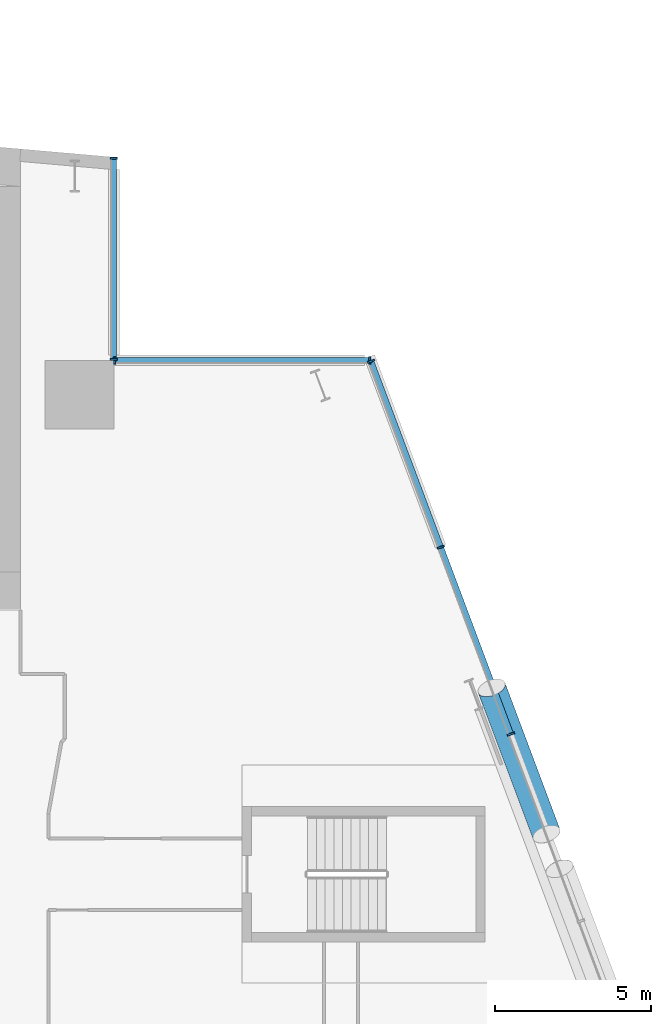
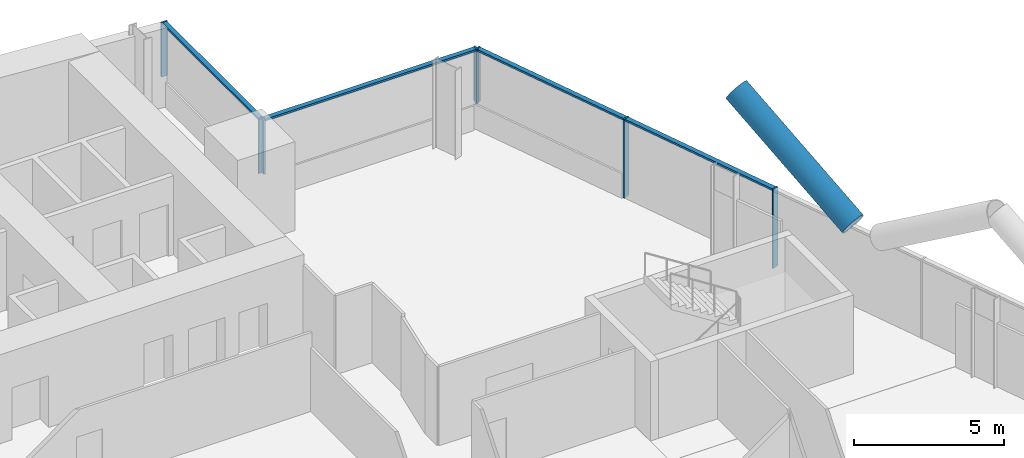
# One storey, part 10 of 25: 12 members, 3 elements without a shape of their own.
"""IFC4 building model written with IfcOpenShell, lengths in metres."""

from ifc_helpers import new_model, si_unit, direction, frame, origin, origin_2d, place, context, subcontext, project, spatial, rectangle, hollow_circle, extrude, material, material_profile, profile_set, type_object, element, aggregate, save


model = new_model("IFC4")

# Units and contexts
model_context = context("Model", 3, precision=1e-05, world=origin(), true_north=direction((0.0, 1.0)))
body_context = subcontext(model_context, "Body", "Model", "MODEL_VIEW")
ifc_project = project(units=[si_unit("LENGTHUNIT", "METRE"), si_unit("AREAUNIT", "SQUARE_METRE"), si_unit("VOLUMEUNIT", "CUBIC_METRE"), si_unit("PLANEANGLEUNIT", "RADIAN"), si_unit("MASSUNIT", "GRAM", prefix="KILO")], contexts=[model_context])

# Site, building, storey
site_placement = place(None, origin())
site = spatial("IfcSite", under=ifc_project, at=site_placement, CompositionType="ELEMENT")
building_placement = place(site_placement, origin())
building = spatial("IfcBuilding", under=site, at=building_placement, Name="Wharfspan Tower", CompositionType="ELEMENT")
storey_placement = place(building_placement, frame((0.0, 0.0, 70.300049)))
storey = spatial("IfcBuildingStorey", under=building, at=storey_placement, Name="L14", CompositionType="ELEMENT", Elevation=70.300049)

# Curtain wall, members
ifc_material_1 = material(Name="Aluminium 6063-T6", Category="aluminium")
curtain_wall_type = type_object("IfcCurtainWallType", Name="CURTAIN WALL PROW AND END", PredefinedType="NOTDEFINED", material=ifc_material_1)
curtain_wall_1_placement = place(storey_placement, origin())
curtain_wall_1 = element("IfcCurtainWall", 1, at=curtain_wall_1_placement, inside=storey, type_object=curtain_wall_type, Name="Curtain wall E", PredefinedType="NOTDEFINED")
ifc_material_profile_1 = material_profile(ifc_material_1, rectangle(XDim=0.23999, YDim=0.060059, at=origin_2d()))
ifc_profile_set_1 = profile_set([ifc_material_profile_1], Name="Aluminium 6063-T6")
member_type_1 = type_object("IfcMemberType", Name="MULLION PROW AND END 60x240", PredefinedType="MULLION", material=ifc_profile_set_1)
member_1_placement = place(storey_placement, frame((80.75, 30.0, 0.0), z_axis=(0.0, 0.0, 1.0), x_axis=(-0.936328, -0.351123, 0.0)))
member_1 = element("IfcMember", 2, at=member_1_placement, type_object=member_type_1, Name="Curtain wall E mullion 6", PredefinedType="MULLION", context=body_context, shape_type="SweptSolid", body=[
    extrude(rectangle(XDim=0.23999, YDim=0.060059, at=origin_2d()), origin(), (0.0, 0.0, 1.0), 3.199951),
])
member_2_placement = place(storey_placement, frame((78.5, 36.0, 0.0), z_axis=(0.0, 0.0, 1.0), x_axis=(-0.936328, -0.351123, 0.0)))
member_2 = element("IfcMember", 3, at=member_2_placement, type_object=member_type_1, Name="Curtain wall E mullion 7", PredefinedType="MULLION", context=body_context, shape_type="SweptSolid", body=[
    extrude(rectangle(XDim=0.23999, YDim=0.060059, at=origin_2d()), origin(), (0.0, 0.0, 1.0), 3.199951),
])
member_3_placement = place(storey_placement, frame((76.260498, 41.971924, 1.0), z_axis=(0.0, 0.0, 1.0), x_axis=(-0.936328, -0.351123, 0.0)))
member_3 = element("IfcMember", 4, at=member_3_placement, type_object=member_type_1, Name="Curtain wall E mullion 8", PredefinedType="MULLION", context=body_context, shape_type="SweptSolid", body=[
    extrude(rectangle(XDim=0.23999, YDim=0.060059, at=origin_2d()), origin(), (0.0, 0.0, 1.0), 2.199951),
])

curtain_wall_2_placement = place(storey_placement, origin())
curtain_wall_2 = element("IfcCurtainWall", 5, at=curtain_wall_2_placement, inside=storey, type_object=curtain_wall_type, Name="Curtain wall NRE-H", PredefinedType="NOTDEFINED")
member_4_placement = place(storey_placement, frame((76.219971, 42.0, 1.0), z_axis=(0.0, 0.0, 1.0), x_axis=(0.0, -1.0, 0.0)))
member_4 = element("IfcMember", 6, at=member_4_placement, type_object=member_type_1, Name="Curtain wall NRE-H mullion 1", PredefinedType="MULLION", context=body_context, shape_type="SweptSolid", body=[
    extrude(rectangle(XDim=0.23999, YDim=0.060059, at=origin_2d()), origin(), (0.0, 0.0, 1.0), 2.199951),
])
member_5_placement = place(storey_placement, frame((68.030029, 42.0, 1.0), z_axis=(0.0, 0.0, 1.0), x_axis=(0.0, -1.0, 0.0)))
member_5 = element("IfcMember", 7, at=member_5_placement, type_object=member_type_1, Name="Curtain wall NRE-H mullion 2", PredefinedType="MULLION", context=body_context, shape_type="SweptSolid", body=[
    extrude(rectangle(XDim=0.23999, YDim=0.060059, at=origin_2d()), origin(), (0.0, 0.0, 1.0), 2.199951),
])

curtain_wall_3_placement = place(storey_placement, origin())
curtain_wall_3 = element("IfcCurtainWall", 8, at=curtain_wall_3_placement, inside=storey, type_object=curtain_wall_type, Name="Curtain wall NRE-V", PredefinedType="NOTDEFINED")
member_6_placement = place(storey_placement, frame((68.0, 42.030029, 1.0), z_axis=(0.0, 0.0, 1.0), x_axis=(-1.0, 0.0, 0.0)))
member_6 = element("IfcMember", 9, at=member_6_placement, type_object=member_type_1, Name="Curtain wall NRE-V mullion 1", PredefinedType="MULLION", context=body_context, shape_type="SweptSolid", body=[
    extrude(rectangle(XDim=0.23999, YDim=0.060059, at=origin_2d()), origin(), (0.0, 0.0, 1.0), 2.199951),
])
member_7_placement = place(storey_placement, frame((68.0, 48.494873, 1.0), z_axis=(0.0, 0.0, 1.0), x_axis=(-1.0, 0.0, 0.0)))
member_7 = element("IfcMember", 10, at=member_7_placement, type_object=member_type_1, Name="Curtain wall NRE-V mullion 2", PredefinedType="MULLION", context=body_context, shape_type="SweptSolid", body=[
    extrude(rectangle(XDim=0.23999, YDim=0.060059, at=origin_2d()), origin(), (0.0, 0.0, 1.0), 2.199951),
])

# Member
ifc_material_2 = material(Name="Steel S460NH", Category="steel")
ifc_material_profile_2 = material_profile(ifc_material_2, hollow_circle(Radius=0.457031, WallThickness=0.040039, at=origin_2d()))
ifc_profile_set_2 = profile_set([ifc_material_profile_2], Name="Steel S460NH")
member_type_2 = type_object("IfcMemberType", Name="Mega brace CHS 914x40", PredefinedType="BRACE", material=ifc_profile_set_2)
member_8_placement = place(storey_placement, frame((81.895508, 26.788574, 3.282471), z_axis=(-0.295459, 0.787904, 0.540288), x_axis=(-0.936328, -0.351115, -3e-06)))
element("IfcMember", 11, at=member_8_placement, inside=storey, type_object=member_type_2, Name="Mega brace E6 L14 part 2", PredefinedType="BRACE", context=body_context, shape_type="SweptSolid", body=[
    extrude(hollow_circle(Radius=0.457031, WallThickness=0.040039, at=origin_2d()), origin(), (0.0, 0.0, 1.0), 5.955322),
])

ifc_material_profile_3 = material_profile(ifc_material_1, rectangle(XDim=0.179932, YDim=0.080078, at=origin_2d()))
ifc_profile_set_3 = profile_set([ifc_material_profile_3], Name="Aluminium 6063-T6")
member_type_3 = type_object("IfcMemberType", Name="TRANSOM PROW AND END 80x180", PredefinedType="USERDEFINED", material=ifc_profile_set_3)
member_9_placement = place(storey_placement, frame((80.739502, 30.028076, 3.159912), z_axis=(-0.351132, 0.936326, 0.0), x_axis=(-0.936326, -0.351132, 0.0)))
member_9 = element("IfcMember", 12, at=member_9_placement, type_object=member_type_3, Name="Curtain wall E transom 6", ObjectType="TRANSOM", PredefinedType="USERDEFINED", context=body_context, shape_type="SweptSolid", body=[
    extrude(rectangle(XDim=0.179932, YDim=0.080078, at=origin_2d()), origin(), (0.0, 0.0, 1.0), 6.348145),
])

member_10_placement = place(storey_placement, frame((78.489502, 36.028076, 3.159912), z_axis=(-0.351136, 0.936324, 0.0), x_axis=(-0.936324, -0.351136, 0.0)))
member_10 = element("IfcMember", 13, at=member_10_placement, type_object=member_type_3, Name="Curtain wall E transom 7", ObjectType="TRANSOM", PredefinedType="USERDEFINED", context=body_context, shape_type="SweptSolid", body=[
    extrude(rectangle(XDim=0.179932, YDim=0.080078, at=origin_2d()), origin(), (0.0, 0.0, 1.0), 6.318115),
])

aggregate(curtain_wall_1, [member_1, member_2, member_3, member_9, member_10])

member_11_placement = place(storey_placement, frame((76.189941, 42.0, 3.159912), z_axis=(-1.0, 0.0, 0.0), x_axis=(0.0, -1.0, 0.0)))
member_11 = element("IfcMember", 14, at=member_11_placement, type_object=member_type_3, Name="Curtain wall NRE-H transom 1", ObjectType="TRANSOM", PredefinedType="USERDEFINED", context=body_context, shape_type="SweptSolid", body=[
    extrude(rectangle(XDim=0.179932, YDim=0.080078, at=origin_2d()), origin(), (0.0, 0.0, 1.0), 8.129883),
])

aggregate(curtain_wall_2, [member_4, member_5, member_11])

member_12_placement = place(storey_placement, frame((68.0, 42.060059, 3.159912), z_axis=(0.0, 1.0, 0.0), x_axis=(-1.0, 0.0, 0.0)))
member_12 = element("IfcMember", 15, at=member_12_placement, type_object=member_type_3, Name="Curtain wall NRE-V transom 1", ObjectType="TRANSOM", PredefinedType="USERDEFINED", context=body_context, shape_type="SweptSolid", body=[
    extrude(rectangle(XDim=0.179932, YDim=0.080078, at=origin_2d()), origin(), (0.0, 0.0, 1.0), 6.404785),
])

aggregate(curtain_wall_3, [member_6, member_7, member_12])

save(model, "model.ifc")
